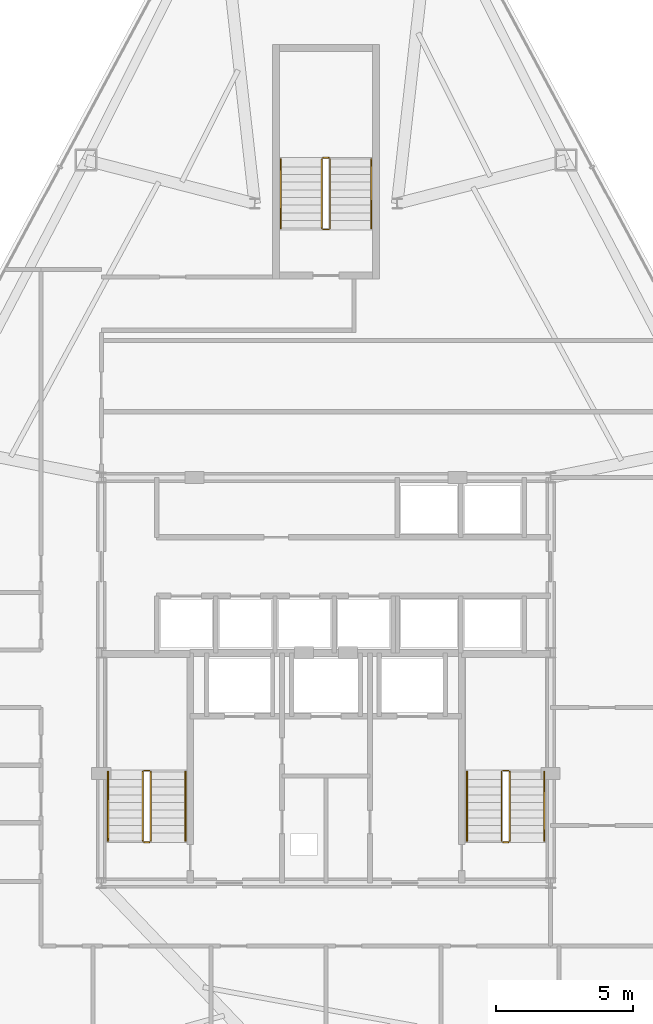
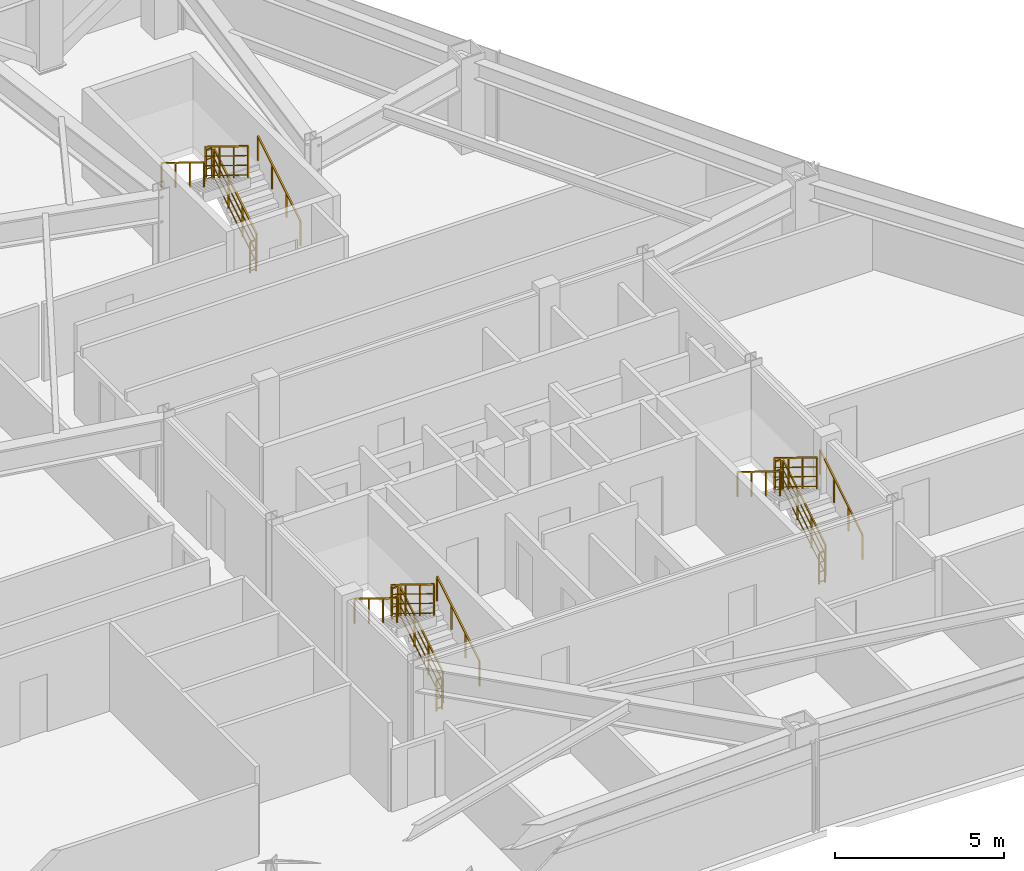
# One storey, part 13 of 13: 18 railings.
"""IFC4 building model written with IfcOpenShell, lengths in metres."""

from ifc_helpers import new_model, si_unit, direction, frame, origin, origin_2d, place, context, subcontext, project, spatial, rectangle, extrude, material, type_object, element, save


model = new_model("IFC4")

# Units and contexts
model_context = context("Model", 3, precision=1e-05, world=origin(), true_north=direction((0.0, 1.0)))
body_context = subcontext(model_context, "Body", "Model", "MODEL_VIEW")
ifc_project = project(units=[si_unit("LENGTHUNIT", "METRE"), si_unit("AREAUNIT", "SQUARE_METRE"), si_unit("VOLUMEUNIT", "CUBIC_METRE"), si_unit("PLANEANGLEUNIT", "RADIAN"), si_unit("MASSUNIT", "GRAM", prefix="KILO")], contexts=[model_context])

# Site, building, storey
site_placement = place(None, origin())
site = spatial("IfcSite", under=ifc_project, at=site_placement, CompositionType="ELEMENT")
building_placement = place(site_placement, origin())
building = spatial("IfcBuilding", under=site, at=building_placement, Name="Varakhsha Concourse Tower", CompositionType="ELEMENT")
storey_placement = place(building_placement, frame((0.0, 0.0, 165.449951171875)))
storey = spatial("IfcBuildingStorey", under=building, at=storey_placement, Name="L47", CompositionType="ELEMENT", Elevation=165.449951171875)

# Railings
ifc_material = material(Name="Brushed Austenitic Stainless Steel AISI 316", Category="steel")
railing_type_1 = type_object("IfcRailingType", Name="RL-STAIR-GUARD-1100", PredefinedType="GUARDRAIL", material=ifc_material)
railing_1_placement = place(storey_placement, frame((33.610107421875, 17.93994140625, 0.172607421875)))
element("IfcRailing", 1, at=railing_1_placement, inside=storey, type_object=railing_type_1, Name="L47 ST1 stair guard 1", PredefinedType="GUARDRAIL", context=body_context, shape_type="SweptSolid", body=[
    extrude(rectangle(XDim=0.048095703125, YDim=0.048095703125, at=origin_2d()), frame((0.0, 0.0, 1.1259765625), z_axis=(0.0, 0.851400495292, 0.524516154772), x_axis=(-1.0, 0.0, 0.0)), (0.0, 0.0, 1.0), 2.9599609375),
    extrude(rectangle(XDim=0.028076171875, YDim=0.028076171875, at=origin_2d()), frame((0.0, 0.0, 0.080078125), z_axis=(0.0, 0.851400495292, 0.524516154772), x_axis=(-1.0, 0.0, 0.0)), (0.0, 0.0, 1.0), 2.9599609375),
    extrude(rectangle(XDim=0.028076171875, YDim=0.028076171875, at=origin_2d()), frame((0.0, 0.0, 0.43701171875), z_axis=(0.0, 0.851400495292, 0.524516154772), x_axis=(-1.0, 0.0, 0.0)), (0.0, 0.0, 1.0), 2.9599609375),
    extrude(rectangle(XDim=0.028076171875, YDim=0.028076171875, at=origin_2d()), frame((0.0, 0.0, 0.781982421875), z_axis=(0.0, 0.851400495292, 0.524516154772), x_axis=(-1.0, 0.0, 0.0)), (0.0, 0.0, 1.0), 2.9599609375),
    extrude(rectangle(XDim=0.0419921875, YDim=0.0419921875, at=origin_2d()), origin(), (0.0, 0.0, 1.0), 1.101806640625),
    extrude(rectangle(XDim=0.0419921875, YDim=0.0419921875, at=origin_2d()), frame((0.0, 0.840087890625, 0.517578125)), (0.0, 0.0, 1.0), 1.101806640625),
    extrude(rectangle(XDim=0.0419921875, YDim=0.0419921875, at=origin_2d()), frame((0.0, 1.679931640625, 1.034912109375)), (0.0, 0.0, 1.0), 1.101806640625),
    extrude(rectangle(XDim=0.0419921875, YDim=0.0419921875, at=origin_2d()), frame((0.0, 2.52001953125, 1.552490234375)), (0.0, 0.0, 1.0), 1.101806640625),
])
railing_2_placement = place(storey_placement, frame((33.56005859375, 20.510009765625, 1.72509765625)))
element("IfcRailing", 2, at=railing_2_placement, inside=storey, type_object=railing_type_1, Name="L47 ST1 stair guard 2", PredefinedType="GUARDRAIL", context=body_context, shape_type="SweptSolid", body=[
    extrude(rectangle(XDim=0.048095703125, YDim=0.048095703125, at=origin_2d()), frame((0.0, 0.0, 1.1259765625), z_axis=(-1.0, 0.0, 0.0), x_axis=(0.0, -1.0, 0.0)), (0.0, 0.0, 1.0), 0.199951171875),
    extrude(rectangle(XDim=0.028076171875, YDim=0.028076171875, at=origin_2d()), frame((0.0, 0.0, 0.080078125), z_axis=(-1.0, 0.0, 0.0), x_axis=(0.0, -1.0, 0.0)), (0.0, 0.0, 1.0), 0.199951171875),
    extrude(rectangle(XDim=0.028076171875, YDim=0.028076171875, at=origin_2d()), frame((0.0, 0.0, 0.43701171875), z_axis=(-1.0, 0.0, 0.0), x_axis=(0.0, -1.0, 0.0)), (0.0, 0.0, 1.0), 0.199951171875),
    extrude(rectangle(XDim=0.028076171875, YDim=0.028076171875, at=origin_2d()), frame((0.0, 0.0, 0.781982421875), z_axis=(-1.0, 0.0, 0.0), x_axis=(0.0, -1.0, 0.0)), (0.0, 0.0, 1.0), 0.199951171875),
    extrude(rectangle(XDim=0.0419921875, YDim=0.0419921875, at=origin_2d()), origin(), (0.0, 0.0, 1.0), 1.101806640625),
    extrude(rectangle(XDim=0.0419921875, YDim=0.0419921875, at=origin_2d()), frame((-0.199951171875, 0.0, 0.0)), (0.0, 0.0, 1.0), 1.101806640625),
])
railing_3_placement = place(storey_placement, frame((33.31005859375, 20.4599609375, 1.8974609375)))
element("IfcRailing", 3, at=railing_3_placement, inside=storey, type_object=railing_type_1, Name="L47 ST1 stair guard 3", PredefinedType="GUARDRAIL", context=body_context, shape_type="SweptSolid", body=[
    extrude(rectangle(XDim=0.048095703125, YDim=0.048095703125, at=origin_2d()), frame((0.0, 0.0, 1.1259765625), z_axis=(0.0, -0.851400495292, 0.524516154772), x_axis=(1.0, 0.0, 0.0)), (0.0, 0.0, 1.0), 2.9599609375),
    extrude(rectangle(XDim=0.028076171875, YDim=0.028076171875, at=origin_2d()), frame((0.0, 0.0, 0.080078125), z_axis=(0.0, -0.851400495292, 0.524516154772), x_axis=(1.0, 0.0, 0.0)), (0.0, 0.0, 1.0), 2.9599609375),
    extrude(rectangle(XDim=0.028076171875, YDim=0.028076171875, at=origin_2d()), frame((0.0, 0.0, 0.43701171875), z_axis=(0.0, -0.851400495292, 0.524516154772), x_axis=(1.0, 0.0, 0.0)), (0.0, 0.0, 1.0), 2.9599609375),
    extrude(rectangle(XDim=0.028076171875, YDim=0.028076171875, at=origin_2d()), frame((0.0, 0.0, 0.781982421875), z_axis=(0.0, -0.851400495292, 0.524516154772), x_axis=(1.0, 0.0, 0.0)), (0.0, 0.0, 1.0), 2.9599609375),
    extrude(rectangle(XDim=0.0419921875, YDim=0.0419921875, at=origin_2d()), origin(), (0.0, 0.0, 1.0), 1.101806640625),
    extrude(rectangle(XDim=0.0419921875, YDim=0.0419921875, at=origin_2d()), frame((0.0, -0.840087890625, 0.517578125)), (0.0, 0.0, 1.0), 1.101806640625),
    extrude(rectangle(XDim=0.0419921875, YDim=0.0419921875, at=origin_2d()), frame((0.0, -1.679931640625, 1.034912109375)), (0.0, 0.0, 1.0), 1.101806640625),
    extrude(rectangle(XDim=0.0419921875, YDim=0.0419921875, at=origin_2d()), frame((0.0, -2.52001953125, 1.552490234375)), (0.0, 0.0, 1.0), 1.101806640625),
])
railing_4_placement = place(storey_placement, frame((33.56005859375, 17.889892578125, 0.0)))
element("IfcRailing", 4, at=railing_4_placement, inside=storey, type_object=railing_type_1, Name="L47 ST1 stair guard 4", PredefinedType="GUARDRAIL", context=body_context, shape_type="SweptSolid", body=[
    extrude(rectangle(XDim=0.048095703125, YDim=0.048095703125, at=origin_2d()), frame((0.0, 0.0, 1.1259765625), z_axis=(-1.0, 0.0, 0.0), x_axis=(0.0, -1.0, 0.0)), (0.0, 0.0, 1.0), 0.199951171875),
    extrude(rectangle(XDim=0.028076171875, YDim=0.028076171875, at=origin_2d()), frame((0.0, 0.0, 0.080078125), z_axis=(-1.0, 0.0, 0.0), x_axis=(0.0, -1.0, 0.0)), (0.0, 0.0, 1.0), 0.199951171875),
    extrude(rectangle(XDim=0.028076171875, YDim=0.028076171875, at=origin_2d()), frame((0.0, 0.0, 0.43701171875), z_axis=(-1.0, 0.0, 0.0), x_axis=(0.0, -1.0, 0.0)), (0.0, 0.0, 1.0), 0.199951171875),
    extrude(rectangle(XDim=0.028076171875, YDim=0.028076171875, at=origin_2d()), frame((0.0, 0.0, 0.781982421875), z_axis=(-1.0, 0.0, 0.0), x_axis=(0.0, -1.0, 0.0)), (0.0, 0.0, 1.0), 0.199951171875),
    extrude(rectangle(XDim=0.0419921875, YDim=0.0419921875, at=origin_2d()), origin(), (0.0, 0.0, 1.0), 1.101806640625),
    extrude(rectangle(XDim=0.0419921875, YDim=0.0419921875, at=origin_2d()), frame((-0.199951171875, 0.0, 0.0)), (0.0, 0.0, 1.0), 1.101806640625),
])
railing_5_placement = place(storey_placement, frame((46.7099609375, 17.93994140625, 0.172607421875)))
element("IfcRailing", 5, at=railing_5_placement, inside=storey, type_object=railing_type_1, Name="L47 ST2 stair guard 1", PredefinedType="GUARDRAIL", context=body_context, shape_type="SweptSolid", body=[
    extrude(rectangle(XDim=0.048095703125, YDim=0.048095703125, at=origin_2d()), frame((0.0, 0.0, 1.1259765625), z_axis=(0.0, 0.851400495292, 0.524516154772), x_axis=(-1.0, 0.0, 0.0)), (0.0, 0.0, 1.0), 2.9599609375),
    extrude(rectangle(XDim=0.028076171875, YDim=0.028076171875, at=origin_2d()), frame((0.0, 0.0, 0.080078125), z_axis=(0.0, 0.851400495292, 0.524516154772), x_axis=(-1.0, 0.0, 0.0)), (0.0, 0.0, 1.0), 2.9599609375),
    extrude(rectangle(XDim=0.028076171875, YDim=0.028076171875, at=origin_2d()), frame((0.0, 0.0, 0.43701171875), z_axis=(0.0, 0.851400495292, 0.524516154772), x_axis=(-1.0, 0.0, 0.0)), (0.0, 0.0, 1.0), 2.9599609375),
    extrude(rectangle(XDim=0.028076171875, YDim=0.028076171875, at=origin_2d()), frame((0.0, 0.0, 0.781982421875), z_axis=(0.0, 0.851400495292, 0.524516154772), x_axis=(-1.0, 0.0, 0.0)), (0.0, 0.0, 1.0), 2.9599609375),
    extrude(rectangle(XDim=0.0419921875, YDim=0.0419921875, at=origin_2d()), origin(), (0.0, 0.0, 1.0), 1.101806640625),
    extrude(rectangle(XDim=0.0419921875, YDim=0.0419921875, at=origin_2d()), frame((0.0, 0.840087890625, 0.517578125)), (0.0, 0.0, 1.0), 1.101806640625),
    extrude(rectangle(XDim=0.0419921875, YDim=0.0419921875, at=origin_2d()), frame((0.0, 1.679931640625, 1.034912109375)), (0.0, 0.0, 1.0), 1.101806640625),
    extrude(rectangle(XDim=0.0419921875, YDim=0.0419921875, at=origin_2d()), frame((0.0, 2.52001953125, 1.552490234375)), (0.0, 0.0, 1.0), 1.101806640625),
])
railing_6_placement = place(storey_placement, frame((46.659912109375, 20.510009765625, 1.72509765625)))
element("IfcRailing", 6, at=railing_6_placement, inside=storey, type_object=railing_type_1, Name="L47 ST2 stair guard 2", PredefinedType="GUARDRAIL", context=body_context, shape_type="SweptSolid", body=[
    extrude(rectangle(XDim=0.048095703125, YDim=0.048095703125, at=origin_2d()), frame((0.0, 0.0, 1.1259765625), z_axis=(-1.0, 0.0, 0.0), x_axis=(0.0, -1.0, 0.0)), (0.0, 0.0, 1.0), 0.199951171875),
    extrude(rectangle(XDim=0.028076171875, YDim=0.028076171875, at=origin_2d()), frame((0.0, 0.0, 0.080078125), z_axis=(-1.0, 0.0, 0.0), x_axis=(0.0, -1.0, 0.0)), (0.0, 0.0, 1.0), 0.199951171875),
    extrude(rectangle(XDim=0.028076171875, YDim=0.028076171875, at=origin_2d()), frame((0.0, 0.0, 0.43701171875), z_axis=(-1.0, 0.0, 0.0), x_axis=(0.0, -1.0, 0.0)), (0.0, 0.0, 1.0), 0.199951171875),
    extrude(rectangle(XDim=0.028076171875, YDim=0.028076171875, at=origin_2d()), frame((0.0, 0.0, 0.781982421875), z_axis=(-1.0, 0.0, 0.0), x_axis=(0.0, -1.0, 0.0)), (0.0, 0.0, 1.0), 0.199951171875),
    extrude(rectangle(XDim=0.0419921875, YDim=0.0419921875, at=origin_2d()), origin(), (0.0, 0.0, 1.0), 1.101806640625),
    extrude(rectangle(XDim=0.0419921875, YDim=0.0419921875, at=origin_2d()), frame((-0.199951171875, 0.0, 0.0)), (0.0, 0.0, 1.0), 1.101806640625),
])
railing_7_placement = place(storey_placement, frame((46.409912109375, 20.4599609375, 1.8974609375)))
element("IfcRailing", 7, at=railing_7_placement, inside=storey, type_object=railing_type_1, Name="L47 ST2 stair guard 3", PredefinedType="GUARDRAIL", context=body_context, shape_type="SweptSolid", body=[
    extrude(rectangle(XDim=0.048095703125, YDim=0.048095703125, at=origin_2d()), frame((0.0, 0.0, 1.1259765625), z_axis=(0.0, -0.851400495292, 0.524516154772), x_axis=(1.0, 0.0, 0.0)), (0.0, 0.0, 1.0), 2.9599609375),
    extrude(rectangle(XDim=0.028076171875, YDim=0.028076171875, at=origin_2d()), frame((0.0, 0.0, 0.080078125), z_axis=(0.0, -0.851400495292, 0.524516154772), x_axis=(1.0, 0.0, 0.0)), (0.0, 0.0, 1.0), 2.9599609375),
    extrude(rectangle(XDim=0.028076171875, YDim=0.028076171875, at=origin_2d()), frame((0.0, 0.0, 0.43701171875), z_axis=(0.0, -0.851400495292, 0.524516154772), x_axis=(1.0, 0.0, 0.0)), (0.0, 0.0, 1.0), 2.9599609375),
    extrude(rectangle(XDim=0.028076171875, YDim=0.028076171875, at=origin_2d()), frame((0.0, 0.0, 0.781982421875), z_axis=(0.0, -0.851400495292, 0.524516154772), x_axis=(1.0, 0.0, 0.0)), (0.0, 0.0, 1.0), 2.9599609375),
    extrude(rectangle(XDim=0.0419921875, YDim=0.0419921875, at=origin_2d()), origin(), (0.0, 0.0, 1.0), 1.101806640625),
    extrude(rectangle(XDim=0.0419921875, YDim=0.0419921875, at=origin_2d()), frame((0.0, -0.840087890625, 0.517578125)), (0.0, 0.0, 1.0), 1.101806640625),
    extrude(rectangle(XDim=0.0419921875, YDim=0.0419921875, at=origin_2d()), frame((0.0, -1.679931640625, 1.034912109375)), (0.0, 0.0, 1.0), 1.101806640625),
    extrude(rectangle(XDim=0.0419921875, YDim=0.0419921875, at=origin_2d()), frame((0.0, -2.52001953125, 1.552490234375)), (0.0, 0.0, 1.0), 1.101806640625),
])
railing_8_placement = place(storey_placement, frame((46.659912109375, 17.889892578125, 0.0)))
element("IfcRailing", 8, at=railing_8_placement, inside=storey, type_object=railing_type_1, Name="L47 ST2 stair guard 4", PredefinedType="GUARDRAIL", context=body_context, shape_type="SweptSolid", body=[
    extrude(rectangle(XDim=0.048095703125, YDim=0.048095703125, at=origin_2d()), frame((0.0, 0.0, 1.1259765625), z_axis=(-1.0, 0.0, 0.0), x_axis=(0.0, -1.0, 0.0)), (0.0, 0.0, 1.0), 0.199951171875),
    extrude(rectangle(XDim=0.028076171875, YDim=0.028076171875, at=origin_2d()), frame((0.0, 0.0, 0.080078125), z_axis=(-1.0, 0.0, 0.0), x_axis=(0.0, -1.0, 0.0)), (0.0, 0.0, 1.0), 0.199951171875),
    extrude(rectangle(XDim=0.028076171875, YDim=0.028076171875, at=origin_2d()), frame((0.0, 0.0, 0.43701171875), z_axis=(-1.0, 0.0, 0.0), x_axis=(0.0, -1.0, 0.0)), (0.0, 0.0, 1.0), 0.199951171875),
    extrude(rectangle(XDim=0.028076171875, YDim=0.028076171875, at=origin_2d()), frame((0.0, 0.0, 0.781982421875), z_axis=(-1.0, 0.0, 0.0), x_axis=(0.0, -1.0, 0.0)), (0.0, 0.0, 1.0), 0.199951171875),
    extrude(rectangle(XDim=0.0419921875, YDim=0.0419921875, at=origin_2d()), origin(), (0.0, 0.0, 1.0), 1.101806640625),
    extrude(rectangle(XDim=0.0419921875, YDim=0.0419921875, at=origin_2d()), frame((-0.199951171875, 0.0, 0.0)), (0.0, 0.0, 1.0), 1.101806640625),
])
railing_9_placement = place(storey_placement, frame((40.14990234375, 40.300048828125, 0.172607421875)))
element("IfcRailing", 9, at=railing_9_placement, inside=storey, type_object=railing_type_1, Name="L47 ST5 stair guard 1", PredefinedType="GUARDRAIL", context=body_context, shape_type="SweptSolid", body=[
    extrude(rectangle(XDim=0.048095703125, YDim=0.048095703125, at=origin_2d()), frame((0.0, 0.0, 1.1259765625), z_axis=(0.0, 0.851400495292, 0.524516154772), x_axis=(-1.0, 0.0, 0.0)), (0.0, 0.0, 1.0), 2.9599609375),
    extrude(rectangle(XDim=0.028076171875, YDim=0.028076171875, at=origin_2d()), frame((0.0, 0.0, 0.080078125), z_axis=(0.0, 0.851400495292, 0.524516154772), x_axis=(-1.0, 0.0, 0.0)), (0.0, 0.0, 1.0), 2.9599609375),
    extrude(rectangle(XDim=0.028076171875, YDim=0.028076171875, at=origin_2d()), frame((0.0, 0.0, 0.43701171875), z_axis=(0.0, 0.851400495292, 0.524516154772), x_axis=(-1.0, 0.0, 0.0)), (0.0, 0.0, 1.0), 2.9599609375),
    extrude(rectangle(XDim=0.028076171875, YDim=0.028076171875, at=origin_2d()), frame((0.0, 0.0, 0.781982421875), z_axis=(0.0, 0.851400495292, 0.524516154772), x_axis=(-1.0, 0.0, 0.0)), (0.0, 0.0, 1.0), 2.9599609375),
    extrude(rectangle(XDim=0.0419921875, YDim=0.0419921875, at=origin_2d()), origin(), (0.0, 0.0, 1.0), 1.101806640625),
    extrude(rectangle(XDim=0.0419921875, YDim=0.0419921875, at=origin_2d()), frame((0.0, 0.840087890625, 0.517578125)), (0.0, 0.0, 1.0), 1.101806640625),
    extrude(rectangle(XDim=0.0419921875, YDim=0.0419921875, at=origin_2d()), frame((0.0, 1.679931640625, 1.034912109375)), (0.0, 0.0, 1.0), 1.101806640625),
    extrude(rectangle(XDim=0.0419921875, YDim=0.0419921875, at=origin_2d()), frame((0.0, 2.52001953125, 1.552490234375)), (0.0, 0.0, 1.0), 1.101806640625),
])
railing_10_placement = place(storey_placement, frame((40.10009765625, 42.8701171875, 1.72509765625)))
element("IfcRailing", 10, at=railing_10_placement, inside=storey, type_object=railing_type_1, Name="L47 ST5 stair guard 2", PredefinedType="GUARDRAIL", context=body_context, shape_type="SweptSolid", body=[
    extrude(rectangle(XDim=0.048095703125, YDim=0.048095703125, at=origin_2d()), frame((0.0, 0.0, 1.1259765625), z_axis=(-1.0, 0.0, 0.0), x_axis=(0.0, -1.0, 0.0)), (0.0, 0.0, 1.0), 0.2001953125),
    extrude(rectangle(XDim=0.028076171875, YDim=0.028076171875, at=origin_2d()), frame((0.0, 0.0, 0.080078125), z_axis=(-1.0, 0.0, 0.0), x_axis=(0.0, -1.0, 0.0)), (0.0, 0.0, 1.0), 0.2001953125),
    extrude(rectangle(XDim=0.028076171875, YDim=0.028076171875, at=origin_2d()), frame((0.0, 0.0, 0.43701171875), z_axis=(-1.0, 0.0, 0.0), x_axis=(0.0, -1.0, 0.0)), (0.0, 0.0, 1.0), 0.2001953125),
    extrude(rectangle(XDim=0.028076171875, YDim=0.028076171875, at=origin_2d()), frame((0.0, 0.0, 0.781982421875), z_axis=(-1.0, 0.0, 0.0), x_axis=(0.0, -1.0, 0.0)), (0.0, 0.0, 1.0), 0.2001953125),
    extrude(rectangle(XDim=0.0419921875, YDim=0.0419921875, at=origin_2d()), origin(), (0.0, 0.0, 1.0), 1.101806640625),
    extrude(rectangle(XDim=0.0419921875, YDim=0.0419921875, at=origin_2d()), frame((-0.2001953125, 0.0, 0.0)), (0.0, 0.0, 1.0), 1.101806640625),
])
railing_11_placement = place(storey_placement, frame((39.85009765625, 42.820068359375, 1.8974609375)))
element("IfcRailing", 11, at=railing_11_placement, inside=storey, type_object=railing_type_1, Name="L47 ST5 stair guard 3", PredefinedType="GUARDRAIL", context=body_context, shape_type="SweptSolid", body=[
    extrude(rectangle(XDim=0.048095703125, YDim=0.048095703125, at=origin_2d()), frame((0.0, 0.0, 1.1259765625), z_axis=(0.0, -0.851400495292, 0.524516154772), x_axis=(1.0, 0.0, 0.0)), (0.0, 0.0, 1.0), 2.9599609375),
    extrude(rectangle(XDim=0.028076171875, YDim=0.028076171875, at=origin_2d()), frame((0.0, 0.0, 0.080078125), z_axis=(0.0, -0.851400495292, 0.524516154772), x_axis=(1.0, 0.0, 0.0)), (0.0, 0.0, 1.0), 2.9599609375),
    extrude(rectangle(XDim=0.028076171875, YDim=0.028076171875, at=origin_2d()), frame((0.0, 0.0, 0.43701171875), z_axis=(0.0, -0.851400495292, 0.524516154772), x_axis=(1.0, 0.0, 0.0)), (0.0, 0.0, 1.0), 2.9599609375),
    extrude(rectangle(XDim=0.028076171875, YDim=0.028076171875, at=origin_2d()), frame((0.0, 0.0, 0.781982421875), z_axis=(0.0, -0.851400495292, 0.524516154772), x_axis=(1.0, 0.0, 0.0)), (0.0, 0.0, 1.0), 2.9599609375),
    extrude(rectangle(XDim=0.0419921875, YDim=0.0419921875, at=origin_2d()), origin(), (0.0, 0.0, 1.0), 1.101806640625),
    extrude(rectangle(XDim=0.0419921875, YDim=0.0419921875, at=origin_2d()), frame((0.0, -0.840087890625, 0.517578125)), (0.0, 0.0, 1.0), 1.101806640625),
    extrude(rectangle(XDim=0.0419921875, YDim=0.0419921875, at=origin_2d()), frame((0.0, -1.679931640625, 1.034912109375)), (0.0, 0.0, 1.0), 1.101806640625),
    extrude(rectangle(XDim=0.0419921875, YDim=0.0419921875, at=origin_2d()), frame((0.0, -2.52001953125, 1.552490234375)), (0.0, 0.0, 1.0), 1.101806640625),
])
railing_12_placement = place(storey_placement, frame((40.10009765625, 40.25, 0.0)))
element("IfcRailing", 12, at=railing_12_placement, inside=storey, type_object=railing_type_1, Name="L47 ST5 stair guard 4", PredefinedType="GUARDRAIL", context=body_context, shape_type="SweptSolid", body=[
    extrude(rectangle(XDim=0.048095703125, YDim=0.048095703125, at=origin_2d()), frame((0.0, 0.0, 1.1259765625), z_axis=(-1.0, 0.0, 0.0), x_axis=(0.0, -1.0, 0.0)), (0.0, 0.0, 1.0), 0.2001953125),
    extrude(rectangle(XDim=0.028076171875, YDim=0.028076171875, at=origin_2d()), frame((0.0, 0.0, 0.080078125), z_axis=(-1.0, 0.0, 0.0), x_axis=(0.0, -1.0, 0.0)), (0.0, 0.0, 1.0), 0.2001953125),
    extrude(rectangle(XDim=0.028076171875, YDim=0.028076171875, at=origin_2d()), frame((0.0, 0.0, 0.43701171875), z_axis=(-1.0, 0.0, 0.0), x_axis=(0.0, -1.0, 0.0)), (0.0, 0.0, 1.0), 0.2001953125),
    extrude(rectangle(XDim=0.028076171875, YDim=0.028076171875, at=origin_2d()), frame((0.0, 0.0, 0.781982421875), z_axis=(-1.0, 0.0, 0.0), x_axis=(0.0, -1.0, 0.0)), (0.0, 0.0, 1.0), 0.2001953125),
    extrude(rectangle(XDim=0.0419921875, YDim=0.0419921875, at=origin_2d()), origin(), (0.0, 0.0, 1.0), 1.101806640625),
    extrude(rectangle(XDim=0.0419921875, YDim=0.0419921875, at=origin_2d()), frame((-0.2001953125, 0.0, 0.0)), (0.0, 0.0, 1.0), 1.101806640625),
])
railing_type_2 = type_object("IfcRailingType", Name="RL-STAIR-RAIL-915", PredefinedType="HANDRAIL", material=ifc_material)
railing_13_placement = place(storey_placement, frame((34.8701171875, 17.93994140625, 0.344970703125)))
element("IfcRailing", 13, at=railing_13_placement, inside=storey, type_object=railing_type_2, Name="L47 ST1 stair handrail 1", PredefinedType="HANDRAIL", context=body_context, shape_type="SweptSolid", body=[
    extrude(rectangle(XDim=0.048095703125, YDim=0.048095703125, at=origin_2d()), frame((0.0, 0.0, 0.89111328125), z_axis=(0.0, 0.851400495292, 0.524516154772), x_axis=(-1.0, 0.0, 0.0)), (0.0, 0.0, 1.0), 2.9599609375),
    extrude(rectangle(XDim=0.0419921875, YDim=0.0419921875, at=origin_2d()), origin(), (0.0, 0.0, 1.0), 0.866943359375),
    extrude(rectangle(XDim=0.0419921875, YDim=0.0419921875, at=origin_2d()), frame((0.0, 0.840087890625, 0.517578125)), (0.0, 0.0, 1.0), 0.866943359375),
    extrude(rectangle(XDim=0.0419921875, YDim=0.0419921875, at=origin_2d()), frame((0.0, 1.679931640625, 1.034912109375)), (0.0, 0.0, 1.0), 0.866943359375),
    extrude(rectangle(XDim=0.0419921875, YDim=0.0419921875, at=origin_2d()), frame((0.0, 2.52001953125, 1.552490234375)), (0.0, 0.0, 1.0), 0.866943359375),
])
railing_14_placement = place(storey_placement, frame((32.050048828125, 20.4599609375, 2.070068359375)))
element("IfcRailing", 14, at=railing_14_placement, inside=storey, type_object=railing_type_2, Name="L47 ST1 stair handrail 2", PredefinedType="HANDRAIL", context=body_context, shape_type="SweptSolid", body=[
    extrude(rectangle(XDim=0.048095703125, YDim=0.048095703125, at=origin_2d()), frame((0.0, 0.0, 0.89111328125), z_axis=(0.0, -0.851400495292, 0.524516154772), x_axis=(1.0, 0.0, 0.0)), (0.0, 0.0, 1.0), 2.9599609375),
    extrude(rectangle(XDim=0.0419921875, YDim=0.0419921875, at=origin_2d()), origin(), (0.0, 0.0, 1.0), 0.866943359375),
    extrude(rectangle(XDim=0.0419921875, YDim=0.0419921875, at=origin_2d()), frame((0.0, -0.840087890625, 0.517578125)), (0.0, 0.0, 1.0), 0.866943359375),
    extrude(rectangle(XDim=0.0419921875, YDim=0.0419921875, at=origin_2d()), frame((0.0, -1.679931640625, 1.034912109375)), (0.0, 0.0, 1.0), 0.866943359375),
    extrude(rectangle(XDim=0.0419921875, YDim=0.0419921875, at=origin_2d()), frame((0.0, -2.52001953125, 1.552490234375)), (0.0, 0.0, 1.0), 0.866943359375),
])
railing_15_placement = place(storey_placement, frame((47.969970703125, 17.93994140625, 0.344970703125)))
element("IfcRailing", 15, at=railing_15_placement, inside=storey, type_object=railing_type_2, Name="L47 ST2 stair handrail 1", PredefinedType="HANDRAIL", context=body_context, shape_type="SweptSolid", body=[
    extrude(rectangle(XDim=0.048095703125, YDim=0.048095703125, at=origin_2d()), frame((0.0, 0.0, 0.89111328125), z_axis=(0.0, 0.851400495292, 0.524516154772), x_axis=(-1.0, 0.0, 0.0)), (0.0, 0.0, 1.0), 2.9599609375),
    extrude(rectangle(XDim=0.0419921875, YDim=0.0419921875, at=origin_2d()), origin(), (0.0, 0.0, 1.0), 0.866943359375),
    extrude(rectangle(XDim=0.0419921875, YDim=0.0419921875, at=origin_2d()), frame((0.0, 0.840087890625, 0.517578125)), (0.0, 0.0, 1.0), 0.866943359375),
    extrude(rectangle(XDim=0.0419921875, YDim=0.0419921875, at=origin_2d()), frame((0.0, 1.679931640625, 1.034912109375)), (0.0, 0.0, 1.0), 0.866943359375),
    extrude(rectangle(XDim=0.0419921875, YDim=0.0419921875, at=origin_2d()), frame((0.0, 2.52001953125, 1.552490234375)), (0.0, 0.0, 1.0), 0.866943359375),
])
railing_16_placement = place(storey_placement, frame((45.14990234375, 20.4599609375, 2.070068359375)))
element("IfcRailing", 16, at=railing_16_placement, inside=storey, type_object=railing_type_2, Name="L47 ST2 stair handrail 2", PredefinedType="HANDRAIL", context=body_context, shape_type="SweptSolid", body=[
    extrude(rectangle(XDim=0.048095703125, YDim=0.048095703125, at=origin_2d()), frame((0.0, 0.0, 0.89111328125), z_axis=(0.0, -0.851400495292, 0.524516154772), x_axis=(1.0, 0.0, 0.0)), (0.0, 0.0, 1.0), 2.9599609375),
    extrude(rectangle(XDim=0.0419921875, YDim=0.0419921875, at=origin_2d()), origin(), (0.0, 0.0, 1.0), 0.866943359375),
    extrude(rectangle(XDim=0.0419921875, YDim=0.0419921875, at=origin_2d()), frame((0.0, -0.840087890625, 0.517578125)), (0.0, 0.0, 1.0), 0.866943359375),
    extrude(rectangle(XDim=0.0419921875, YDim=0.0419921875, at=origin_2d()), frame((0.0, -1.679931640625, 1.034912109375)), (0.0, 0.0, 1.0), 0.866943359375),
    extrude(rectangle(XDim=0.0419921875, YDim=0.0419921875, at=origin_2d()), frame((0.0, -2.52001953125, 1.552490234375)), (0.0, 0.0, 1.0), 0.866943359375),
])
railing_17_placement = place(storey_placement, frame((41.64990234375, 40.300048828125, 0.344970703125)))
element("IfcRailing", 17, at=railing_17_placement, inside=storey, type_object=railing_type_2, Name="L47 ST5 stair handrail 1", PredefinedType="HANDRAIL", context=body_context, shape_type="SweptSolid", body=[
    extrude(rectangle(XDim=0.048095703125, YDim=0.048095703125, at=origin_2d()), frame((0.0, 0.0, 0.89111328125), z_axis=(0.0, 0.851400495292, 0.524516154772), x_axis=(-1.0, 0.0, 0.0)), (0.0, 0.0, 1.0), 2.9599609375),
    extrude(rectangle(XDim=0.0419921875, YDim=0.0419921875, at=origin_2d()), origin(), (0.0, 0.0, 1.0), 0.866943359375),
    extrude(rectangle(XDim=0.0419921875, YDim=0.0419921875, at=origin_2d()), frame((0.0, 0.840087890625, 0.517578125)), (0.0, 0.0, 1.0), 0.866943359375),
    extrude(rectangle(XDim=0.0419921875, YDim=0.0419921875, at=origin_2d()), frame((0.0, 1.679931640625, 1.034912109375)), (0.0, 0.0, 1.0), 0.866943359375),
    extrude(rectangle(XDim=0.0419921875, YDim=0.0419921875, at=origin_2d()), frame((0.0, 2.52001953125, 1.552490234375)), (0.0, 0.0, 1.0), 0.866943359375),
])
railing_18_placement = place(storey_placement, frame((38.35009765625, 42.820068359375, 2.070068359375)))
element("IfcRailing", 18, at=railing_18_placement, inside=storey, type_object=railing_type_2, Name="L47 ST5 stair handrail 2", PredefinedType="HANDRAIL", context=body_context, shape_type="SweptSolid", body=[
    extrude(rectangle(XDim=0.048095703125, YDim=0.048095703125, at=origin_2d()), frame((0.0, 0.0, 0.89111328125), z_axis=(0.0, -0.851400495292, 0.524516154772), x_axis=(1.0, 0.0, 0.0)), (0.0, 0.0, 1.0), 2.9599609375),
    extrude(rectangle(XDim=0.0419921875, YDim=0.0419921875, at=origin_2d()), origin(), (0.0, 0.0, 1.0), 0.866943359375),
    extrude(rectangle(XDim=0.0419921875, YDim=0.0419921875, at=origin_2d()), frame((0.0, -0.840087890625, 0.517578125)), (0.0, 0.0, 1.0), 0.866943359375),
    extrude(rectangle(XDim=0.0419921875, YDim=0.0419921875, at=origin_2d()), frame((0.0, -1.679931640625, 1.034912109375)), (0.0, 0.0, 1.0), 0.866943359375),
    extrude(rectangle(XDim=0.0419921875, YDim=0.0419921875, at=origin_2d()), frame((0.0, -2.52001953125, 1.552490234375)), (0.0, 0.0, 1.0), 0.866943359375),
])

save(model, "model.ifc")
